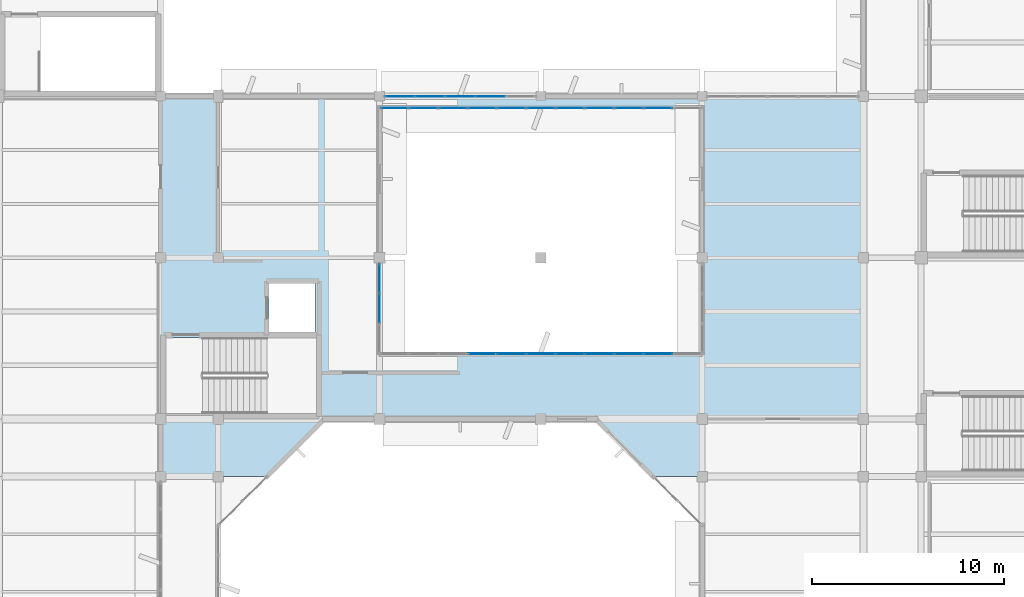
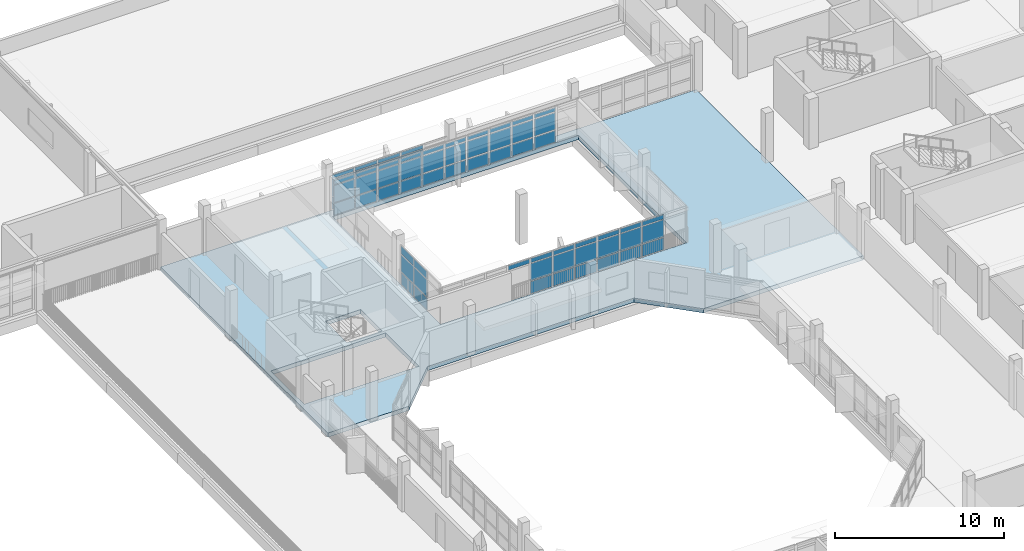
# One storey, part 53 of 92: 67 plates, 1 slab, 4 elements without a shape of their own.
"""IFC4 building model written with IfcOpenShell, lengths in metres."""

from ifc_helpers import new_model, si_unit, direction, frame, origin, origin_2d, place, context, subcontext, project, spatial, polyline, rectangle, outline, extrude, material, layer, layer_set, type_object, element, aggregate, save


model = new_model("IFC4")

# Units and contexts
model_context = context("Model", 3, precision=1e-05, world=origin(), true_north=direction((0.0, 1.0)))
body_context = subcontext(model_context, "Body", "Model", "MODEL_VIEW")
ifc_project = project(units=[si_unit("LENGTHUNIT", "METRE"), si_unit("AREAUNIT", "SQUARE_METRE"), si_unit("VOLUMEUNIT", "CUBIC_METRE"), si_unit("PLANEANGLEUNIT", "RADIAN"), si_unit("MASSUNIT", "GRAM", prefix="KILO")], contexts=[model_context])

# Site, building, storey
site_placement = place(None, origin())
site = spatial("IfcSite", under=ifc_project, at=site_placement, CompositionType="ELEMENT")
building_placement = place(site_placement, origin())
building = spatial("IfcBuilding", under=site, at=building_placement, Name="Vanh Quang Courtyard School", CompositionType="ELEMENT")
storey_placement = place(building_placement, frame((0.0, 0.0, 7.800048828125)))
storey = spatial("IfcBuildingStorey", under=building, at=storey_placement, Name="L02", CompositionType="ELEMENT", Elevation=7.800048828125)

# Curtain wall, plates
ifc_material_1 = material(Name="Thermally broken aluminium unitised curtain wall", Category="aluminium")
curtain_wall_type_1 = type_object("IfcCurtainWallType", Name="CW-SYS-19", PredefinedType="NOTDEFINED", material=ifc_material_1)
curtain_wall_1_placement = place(storey_placement, origin())
curtain_wall_1 = element("IfcCurtainWall", 1, at=curtain_wall_1_placement, inside=storey, type_object=curtain_wall_type_1, Name="Curtain Wall CW-19 (L02)", PredefinedType="NOTDEFINED")
ifc_material_2 = material(Name="Low-E laminated double glazing", Category="glass")
ifc_layer_1 = layer(ifc_material_2, 0.028076171875)
ifc_layer_set_1 = layer_set([ifc_layer_1], Name="Low-E laminated double glazing")
plate_type_1 = type_object("IfcPlateType", Name="CW-PNL-28", PredefinedType="CURTAIN_PANEL", material=ifc_layer_set_1)
plate_1_placement = place(storey_placement, frame((50.261474609375, 88.199951171875, 0.06005859375), z_axis=(0.0, 0.0, 1.0), x_axis=(1.0, 0.0, 0.0)))
plate_1 = element("IfcPlate", 2, at=plate_1_placement, type_object=plate_type_1, Name="CW-19 panel 1.1", PredefinedType="CURTAIN_PANEL", context=body_context, shape_type="SweptSolid", body=[
    extrude(rectangle(XDim=1.48681640625, YDim=0.028076171875, at=origin_2d()), origin(), (0.0, 0.0, 1.0), 0.860107421875),
])
plate_2_placement = place(storey_placement, frame((50.261474609375, 88.199951171875, 0.97998046875), z_axis=(0.0, 0.0, 1.0), x_axis=(1.0, 0.0, 0.0)))
plate_2 = element("IfcPlate", 3, at=plate_2_placement, type_object=plate_type_1, Name="CW-19 panel 1.2", PredefinedType="CURTAIN_PANEL", context=body_context, shape_type="SweptSolid", body=[
    extrude(rectangle(XDim=1.48681640625, YDim=0.028076171875, at=origin_2d()), origin(), (0.0, 0.0, 1.0), 1.239990234375),
])
plate_3_placement = place(storey_placement, frame((50.261474609375, 88.199951171875, 2.27978515625), z_axis=(0.0, 0.0, 1.0), x_axis=(1.0, 0.0, 0.0)))
plate_3 = element("IfcPlate", 4, at=plate_3_placement, type_object=plate_type_1, Name="CW-19 panel 1.3", PredefinedType="CURTAIN_PANEL", context=body_context, shape_type="SweptSolid", body=[
    extrude(rectangle(XDim=1.48681640625, YDim=0.028076171875, at=origin_2d()), origin(), (0.0, 0.0, 1.0), 0.260009765625),
])
plate_4_placement = place(storey_placement, frame((51.8232421875, 88.199951171875, 0.06005859375), z_axis=(0.0, 0.0, 1.0), x_axis=(1.0, 0.0, 0.0)))
plate_4 = element("IfcPlate", 5, at=plate_4_placement, type_object=plate_type_1, Name="CW-19 panel 2.1", PredefinedType="CURTAIN_PANEL", context=body_context, shape_type="SweptSolid", body=[
    extrude(rectangle(XDim=1.516845703125, YDim=0.028076171875, at=origin_2d()), origin(), (0.0, 0.0, 1.0), 0.860107421875),
])
plate_5_placement = place(storey_placement, frame((51.8232421875, 88.199951171875, 0.97998046875), z_axis=(0.0, 0.0, 1.0), x_axis=(1.0, 0.0, 0.0)))
plate_5 = element("IfcPlate", 6, at=plate_5_placement, type_object=plate_type_1, Name="CW-19 panel 2.2", PredefinedType="CURTAIN_PANEL", context=body_context, shape_type="SweptSolid", body=[
    extrude(rectangle(XDim=1.516845703125, YDim=0.028076171875, at=origin_2d()), origin(), (0.0, 0.0, 1.0), 1.239990234375),
])
plate_6_placement = place(storey_placement, frame((51.8232421875, 88.199951171875, 2.27978515625), z_axis=(0.0, 0.0, 1.0), x_axis=(1.0, 0.0, 0.0)))
plate_6 = element("IfcPlate", 7, at=plate_6_placement, type_object=plate_type_1, Name="CW-19 panel 2.3", PredefinedType="CURTAIN_PANEL", context=body_context, shape_type="SweptSolid", body=[
    extrude(rectangle(XDim=1.516845703125, YDim=0.028076171875, at=origin_2d()), origin(), (0.0, 0.0, 1.0), 0.260009765625),
])
plate_7_placement = place(storey_placement, frame((53.39990234375, 88.199951171875, 0.06005859375), z_axis=(0.0, 0.0, 1.0), x_axis=(1.0, 0.0, 0.0)))
plate_7 = element("IfcPlate", 8, at=plate_7_placement, type_object=plate_type_1, Name="CW-19 panel 3.1", PredefinedType="CURTAIN_PANEL", context=body_context, shape_type="SweptSolid", body=[
    extrude(rectangle(XDim=1.516845703125, YDim=0.028076171875, at=origin_2d()), origin(), (0.0, 0.0, 1.0), 0.860107421875),
])
plate_8_placement = place(storey_placement, frame((53.39990234375, 88.199951171875, 0.97998046875), z_axis=(0.0, 0.0, 1.0), x_axis=(1.0, 0.0, 0.0)))
plate_8 = element("IfcPlate", 9, at=plate_8_placement, type_object=plate_type_1, Name="CW-19 panel 3.2", PredefinedType="CURTAIN_PANEL", context=body_context, shape_type="SweptSolid", body=[
    extrude(rectangle(XDim=1.516845703125, YDim=0.028076171875, at=origin_2d()), origin(), (0.0, 0.0, 1.0), 1.239990234375),
])
plate_9_placement = place(storey_placement, frame((53.39990234375, 88.199951171875, 2.27978515625), z_axis=(0.0, 0.0, 1.0), x_axis=(1.0, 0.0, 0.0)))
plate_9 = element("IfcPlate", 10, at=plate_9_placement, type_object=plate_type_1, Name="CW-19 panel 3.3", PredefinedType="CURTAIN_PANEL", context=body_context, shape_type="SweptSolid", body=[
    extrude(rectangle(XDim=1.516845703125, YDim=0.028076171875, at=origin_2d()), origin(), (0.0, 0.0, 1.0), 0.260009765625),
])
plate_10_placement = place(storey_placement, frame((54.976806640625, 88.199951171875, 0.06005859375), z_axis=(0.0, 0.0, 1.0), x_axis=(1.0, 0.0, 0.0)))
plate_10 = element("IfcPlate", 11, at=plate_10_placement, type_object=plate_type_1, Name="CW-19 panel 4.1", PredefinedType="CURTAIN_PANEL", context=body_context, shape_type="SweptSolid", body=[
    extrude(rectangle(XDim=1.516845703125, YDim=0.028076171875, at=origin_2d()), origin(), (0.0, 0.0, 1.0), 0.860107421875),
])
plate_11_placement = place(storey_placement, frame((54.976806640625, 88.199951171875, 0.97998046875), z_axis=(0.0, 0.0, 1.0), x_axis=(1.0, 0.0, 0.0)))
plate_11 = element("IfcPlate", 12, at=plate_11_placement, type_object=plate_type_1, Name="CW-19 panel 4.2", PredefinedType="CURTAIN_PANEL", context=body_context, shape_type="SweptSolid", body=[
    extrude(rectangle(XDim=1.516845703125, YDim=0.028076171875, at=origin_2d()), origin(), (0.0, 0.0, 1.0), 1.239990234375),
])
plate_12_placement = place(storey_placement, frame((54.976806640625, 88.199951171875, 2.27978515625), z_axis=(0.0, 0.0, 1.0), x_axis=(1.0, 0.0, 0.0)))
plate_12 = element("IfcPlate", 13, at=plate_12_placement, type_object=plate_type_1, Name="CW-19 panel 4.3", PredefinedType="CURTAIN_PANEL", context=body_context, shape_type="SweptSolid", body=[
    extrude(rectangle(XDim=1.516845703125, YDim=0.028076171875, at=origin_2d()), origin(), (0.0, 0.0, 1.0), 0.260009765625),
])
aggregate(curtain_wall_1, [plate_1, plate_2, plate_3, plate_4, plate_5, plate_6, plate_7, plate_8, plate_9, plate_10, plate_11, plate_12])

curtain_wall_type_2 = type_object("IfcCurtainWallType", Name="CW-SYS-56", PredefinedType="NOTDEFINED", material=ifc_material_1)
curtain_wall_2_placement = place(storey_placement, origin())
curtain_wall_2 = element("IfcCurtainWall", 14, at=curtain_wall_2_placement, inside=storey, type_object=curtain_wall_type_2, Name="Curtain Wall CW-56 (L02)", PredefinedType="NOTDEFINED")
plate_13_placement = place(storey_placement, frame((49.199951171875, 78.7158203125, 0.06005859375), z_axis=(0.0, 0.0, 1.0), x_axis=(0.0, -1.0, 0.0)))
plate_13 = element("IfcPlate", 15, at=plate_13_placement, type_object=plate_type_1, Name="CW-56 panel 1.1", PredefinedType="CURTAIN_PANEL", context=body_context, shape_type="SweptSolid", body=[
    extrude(rectangle(XDim=1.482421875, YDim=0.028076171875, at=origin_2d()), origin(), (0.0, 0.0, 1.0), 0.860107421875),
])
plate_14_placement = place(storey_placement, frame((49.199951171875, 78.7158203125, 0.97998046875), z_axis=(0.0, 0.0, 1.0), x_axis=(0.0, -1.0, 0.0)))
plate_14 = element("IfcPlate", 16, at=plate_14_placement, type_object=plate_type_1, Name="CW-56 panel 1.2", PredefinedType="CURTAIN_PANEL", context=body_context, shape_type="SweptSolid", body=[
    extrude(rectangle(XDim=1.482421875, YDim=0.028076171875, at=origin_2d()), origin(), (0.0, 0.0, 1.0), 1.239990234375),
])
plate_15_placement = place(storey_placement, frame((49.199951171875, 78.7158203125, 2.280029296875), z_axis=(0.0, 0.0, 1.0), x_axis=(0.0, -1.0, 0.0)))
plate_15 = element("IfcPlate", 17, at=plate_15_placement, type_object=plate_type_1, Name="CW-56 panel 1.3", PredefinedType="CURTAIN_PANEL", context=body_context, shape_type="SweptSolid", body=[
    extrude(rectangle(XDim=1.482421875, YDim=0.028076171875, at=origin_2d()), origin(), (0.0, 0.0, 1.0), 0.56005859375),
])
plate_16_placement = place(storey_placement, frame((49.199951171875, 77.158447265625, 0.06005859375), z_axis=(0.0, 0.0, 1.0), x_axis=(0.0, -1.0, 0.0)))
plate_16 = element("IfcPlate", 18, at=plate_16_placement, type_object=plate_type_1, Name="CW-56 panel 2.1", PredefinedType="CURTAIN_PANEL", context=body_context, shape_type="SweptSolid", body=[
    extrude(rectangle(XDim=1.512451171875, YDim=0.028076171875, at=origin_2d()), origin(), (0.0, 0.0, 1.0), 0.860107421875),
])
plate_17_placement = place(storey_placement, frame((49.199951171875, 77.158447265625, 0.97998046875), z_axis=(0.0, 0.0, 1.0), x_axis=(0.0, -1.0, 0.0)))
plate_17 = element("IfcPlate", 19, at=plate_17_placement, type_object=plate_type_1, Name="CW-56 panel 2.2", PredefinedType="CURTAIN_PANEL", context=body_context, shape_type="SweptSolid", body=[
    extrude(rectangle(XDim=1.512451171875, YDim=0.028076171875, at=origin_2d()), origin(), (0.0, 0.0, 1.0), 1.239990234375),
])
plate_18_placement = place(storey_placement, frame((49.199951171875, 77.158447265625, 2.280029296875), z_axis=(0.0, 0.0, 1.0), x_axis=(0.0, -1.0, 0.0)))
plate_18 = element("IfcPlate", 20, at=plate_18_placement, type_object=plate_type_1, Name="CW-56 panel 2.3", PredefinedType="CURTAIN_PANEL", context=body_context, shape_type="SweptSolid", body=[
    extrude(rectangle(XDim=1.512451171875, YDim=0.028076171875, at=origin_2d()), origin(), (0.0, 0.0, 1.0), 0.56005859375),
])
aggregate(curtain_wall_2, [plate_13, plate_14, plate_15, plate_16, plate_17, plate_18])

curtain_wall_type_3 = type_object("IfcCurtainWallType", Name="CW-SYS-54", PredefinedType="NOTDEFINED", material=ifc_material_1)
curtain_wall_3_placement = place(storey_placement, origin())
curtain_wall_3 = element("IfcCurtainWall", 21, at=curtain_wall_3_placement, inside=storey, type_object=curtain_wall_type_3, Name="Curtain Wall CW-54 (L02)", PredefinedType="NOTDEFINED")
ifc_layer_2 = layer(ifc_material_2, 0.031982421875)
ifc_layer_set_2 = layer_set([ifc_layer_2], Name="Low-E laminated double glazing")
plate_type_2 = type_object("IfcPlateType", Name="CW-PNL-32", PredefinedType="CURTAIN_PANEL", material=ifc_layer_set_2)
plate_19_placement = place(storey_placement, frame((54.54541015625, 74.800048828125, 2.280029296875), z_axis=(0.0, 0.0, 1.0), x_axis=(1.0, 0.0, 0.0)))
plate_19 = element("IfcPlate", 22, at=plate_19_placement, type_object=plate_type_2, Name="CW-54 panel 4.3", PredefinedType="CURTAIN_PANEL", context=body_context, shape_type="SweptSolid", body=[
    extrude(rectangle(XDim=1.46728515625, YDim=0.031982421875, at=origin_2d()), origin(), (0.0, 0.0, 1.0), 0.31005859375),
])
plate_20_placement = place(storey_placement, frame((56.07275390625, 74.800048828125, 0.06005859375), z_axis=(0.0, 0.0, 1.0), x_axis=(1.0, 0.0, 0.0)))
plate_20 = element("IfcPlate", 23, at=plate_20_placement, type_object=plate_type_2, Name="CW-54 panel 5.1", PredefinedType="CURTAIN_PANEL", context=body_context, shape_type="SweptSolid", body=[
    extrude(rectangle(XDim=1.46728515625, YDim=0.031982421875, at=origin_2d()), origin(), (0.0, 0.0, 1.0), 0.860107421875),
])
plate_21_placement = place(storey_placement, frame((56.07275390625, 74.800048828125, 0.97998046875), z_axis=(0.0, 0.0, 1.0), x_axis=(1.0, 0.0, 0.0)))
plate_21 = element("IfcPlate", 24, at=plate_21_placement, type_object=plate_type_2, Name="CW-54 panel 5.2", PredefinedType="CURTAIN_PANEL", context=body_context, shape_type="SweptSolid", body=[
    extrude(rectangle(XDim=1.46728515625, YDim=0.031982421875, at=origin_2d()), origin(), (0.0, 0.0, 1.0), 1.239990234375),
])
plate_22_placement = place(storey_placement, frame((56.07275390625, 74.800048828125, 2.280029296875), z_axis=(0.0, 0.0, 1.0), x_axis=(1.0, 0.0, 0.0)))
plate_22 = element("IfcPlate", 25, at=plate_22_placement, type_object=plate_type_2, Name="CW-54 panel 5.3", PredefinedType="CURTAIN_PANEL", context=body_context, shape_type="SweptSolid", body=[
    extrude(rectangle(XDim=1.46728515625, YDim=0.031982421875, at=origin_2d()), origin(), (0.0, 0.0, 1.0), 0.31005859375),
])
plate_23_placement = place(storey_placement, frame((57.60009765625, 74.800048828125, 0.06005859375), z_axis=(0.0, 0.0, 1.0), x_axis=(1.0, 0.0, 0.0)))
plate_23 = element("IfcPlate", 26, at=plate_23_placement, type_object=plate_type_2, Name="CW-54 panel 6.1", PredefinedType="CURTAIN_PANEL", context=body_context, shape_type="SweptSolid", body=[
    extrude(rectangle(XDim=1.46728515625, YDim=0.031982421875, at=origin_2d()), origin(), (0.0, 0.0, 1.0), 0.860107421875),
])
plate_24_placement = place(storey_placement, frame((57.60009765625, 74.800048828125, 0.97998046875), z_axis=(0.0, 0.0, 1.0), x_axis=(1.0, 0.0, 0.0)))
plate_24 = element("IfcPlate", 27, at=plate_24_placement, type_object=plate_type_2, Name="CW-54 panel 6.2", PredefinedType="CURTAIN_PANEL", context=body_context, shape_type="SweptSolid", body=[
    extrude(rectangle(XDim=1.46728515625, YDim=0.031982421875, at=origin_2d()), origin(), (0.0, 0.0, 1.0), 1.239990234375),
])
plate_25_placement = place(storey_placement, frame((57.60009765625, 74.800048828125, 2.280029296875), z_axis=(0.0, 0.0, 1.0), x_axis=(1.0, 0.0, 0.0)))
plate_25 = element("IfcPlate", 28, at=plate_25_placement, type_object=plate_type_2, Name="CW-54 panel 6.3", PredefinedType="CURTAIN_PANEL", context=body_context, shape_type="SweptSolid", body=[
    extrude(rectangle(XDim=1.46728515625, YDim=0.031982421875, at=origin_2d()), origin(), (0.0, 0.0, 1.0), 0.31005859375),
])
plate_26_placement = place(storey_placement, frame((59.127197265625, 74.800048828125, 0.06005859375), z_axis=(0.0, 0.0, 1.0), x_axis=(1.0, 0.0, 0.0)))
plate_26 = element("IfcPlate", 29, at=plate_26_placement, type_object=plate_type_2, Name="CW-54 panel 7.1", PredefinedType="CURTAIN_PANEL", context=body_context, shape_type="SweptSolid", body=[
    extrude(rectangle(XDim=1.46728515625, YDim=0.031982421875, at=origin_2d()), origin(), (0.0, 0.0, 1.0), 0.860107421875),
])
plate_27_placement = place(storey_placement, frame((59.127197265625, 74.800048828125, 0.97998046875), z_axis=(0.0, 0.0, 1.0), x_axis=(1.0, 0.0, 0.0)))
plate_27 = element("IfcPlate", 30, at=plate_27_placement, type_object=plate_type_2, Name="CW-54 panel 7.2", PredefinedType="CURTAIN_PANEL", context=body_context, shape_type="SweptSolid", body=[
    extrude(rectangle(XDim=1.46728515625, YDim=0.031982421875, at=origin_2d()), origin(), (0.0, 0.0, 1.0), 1.239990234375),
])
plate_28_placement = place(storey_placement, frame((59.127197265625, 74.800048828125, 2.280029296875), z_axis=(0.0, 0.0, 1.0), x_axis=(1.0, 0.0, 0.0)))
plate_28 = element("IfcPlate", 31, at=plate_28_placement, type_object=plate_type_2, Name="CW-54 panel 7.3", PredefinedType="CURTAIN_PANEL", context=body_context, shape_type="SweptSolid", body=[
    extrude(rectangle(XDim=1.46728515625, YDim=0.031982421875, at=origin_2d()), origin(), (0.0, 0.0, 1.0), 0.31005859375),
])
plate_29_placement = place(storey_placement, frame((60.654541015625, 74.800048828125, 0.06005859375), z_axis=(0.0, 0.0, 1.0), x_axis=(1.0, 0.0, 0.0)))
plate_29 = element("IfcPlate", 32, at=plate_29_placement, type_object=plate_type_2, Name="CW-54 panel 8.1", PredefinedType="CURTAIN_PANEL", context=body_context, shape_type="SweptSolid", body=[
    extrude(rectangle(XDim=1.46728515625, YDim=0.031982421875, at=origin_2d()), origin(), (0.0, 0.0, 1.0), 0.860107421875),
])
plate_30_placement = place(storey_placement, frame((60.654541015625, 74.800048828125, 0.97998046875), z_axis=(0.0, 0.0, 1.0), x_axis=(1.0, 0.0, 0.0)))
plate_30 = element("IfcPlate", 33, at=plate_30_placement, type_object=plate_type_2, Name="CW-54 panel 8.2", PredefinedType="CURTAIN_PANEL", context=body_context, shape_type="SweptSolid", body=[
    extrude(rectangle(XDim=1.46728515625, YDim=0.031982421875, at=origin_2d()), origin(), (0.0, 0.0, 1.0), 1.239990234375),
])
plate_31_placement = place(storey_placement, frame((60.654541015625, 74.800048828125, 2.280029296875), z_axis=(0.0, 0.0, 1.0), x_axis=(1.0, 0.0, 0.0)))
plate_31 = element("IfcPlate", 34, at=plate_31_placement, type_object=plate_type_2, Name="CW-54 panel 8.3", PredefinedType="CURTAIN_PANEL", context=body_context, shape_type="SweptSolid", body=[
    extrude(rectangle(XDim=1.46728515625, YDim=0.031982421875, at=origin_2d()), origin(), (0.0, 0.0, 1.0), 0.31005859375),
])
plate_32_placement = place(storey_placement, frame((62.181884765625, 74.800048828125, 0.06005859375), z_axis=(0.0, 0.0, 1.0), x_axis=(1.0, 0.0, 0.0)))
plate_32 = element("IfcPlate", 35, at=plate_32_placement, type_object=plate_type_2, Name="CW-54 panel 9.1", PredefinedType="CURTAIN_PANEL", context=body_context, shape_type="SweptSolid", body=[
    extrude(rectangle(XDim=1.46728515625, YDim=0.031982421875, at=origin_2d()), origin(), (0.0, 0.0, 1.0), 0.860107421875),
])
plate_33_placement = place(storey_placement, frame((62.181884765625, 74.800048828125, 0.97998046875), z_axis=(0.0, 0.0, 1.0), x_axis=(1.0, 0.0, 0.0)))
plate_33 = element("IfcPlate", 36, at=plate_33_placement, type_object=plate_type_2, Name="CW-54 panel 9.2", PredefinedType="CURTAIN_PANEL", context=body_context, shape_type="SweptSolid", body=[
    extrude(rectangle(XDim=1.46728515625, YDim=0.031982421875, at=origin_2d()), origin(), (0.0, 0.0, 1.0), 1.239990234375),
])
plate_34_placement = place(storey_placement, frame((62.181884765625, 74.800048828125, 2.280029296875), z_axis=(0.0, 0.0, 1.0), x_axis=(1.0, 0.0, 0.0)))
plate_34 = element("IfcPlate", 37, at=plate_34_placement, type_object=plate_type_2, Name="CW-54 panel 9.3", PredefinedType="CURTAIN_PANEL", context=body_context, shape_type="SweptSolid", body=[
    extrude(rectangle(XDim=1.46728515625, YDim=0.031982421875, at=origin_2d()), origin(), (0.0, 0.0, 1.0), 0.31005859375),
])
plate_35_placement = place(storey_placement, frame((63.708984375, 74.800048828125, 0.06005859375), z_axis=(0.0, 0.0, 1.0), x_axis=(1.0, 0.0, 0.0)))
plate_35 = element("IfcPlate", 38, at=plate_35_placement, type_object=plate_type_2, Name="CW-54 panel 10.1", PredefinedType="CURTAIN_PANEL", context=body_context, shape_type="SweptSolid", body=[
    extrude(rectangle(XDim=1.46728515625, YDim=0.031982421875, at=origin_2d()), origin(), (0.0, 0.0, 1.0), 0.860107421875),
])
plate_36_placement = place(storey_placement, frame((63.708984375, 74.800048828125, 0.97998046875), z_axis=(0.0, 0.0, 1.0), x_axis=(1.0, 0.0, 0.0)))
plate_36 = element("IfcPlate", 39, at=plate_36_placement, type_object=plate_type_2, Name="CW-54 panel 10.2", PredefinedType="CURTAIN_PANEL", context=body_context, shape_type="SweptSolid", body=[
    extrude(rectangle(XDim=1.46728515625, YDim=0.031982421875, at=origin_2d()), origin(), (0.0, 0.0, 1.0), 1.239990234375),
])
plate_37_placement = place(storey_placement, frame((63.708984375, 74.800048828125, 2.280029296875), z_axis=(0.0, 0.0, 1.0), x_axis=(1.0, 0.0, 0.0)))
plate_37 = element("IfcPlate", 40, at=plate_37_placement, type_object=plate_type_2, Name="CW-54 panel 10.3", PredefinedType="CURTAIN_PANEL", context=body_context, shape_type="SweptSolid", body=[
    extrude(rectangle(XDim=1.46728515625, YDim=0.031982421875, at=origin_2d()), origin(), (0.0, 0.0, 1.0), 0.31005859375),
])
aggregate(curtain_wall_3, [plate_19, plate_20, plate_21, plate_22, plate_23, plate_24, plate_25, plate_26, plate_27, plate_28, plate_29, plate_30, plate_31, plate_32, plate_33, plate_34, plate_35, plate_36, plate_37])

curtain_wall_4_placement = place(storey_placement, origin())
curtain_wall_4 = element("IfcCurtainWall", 41, at=curtain_wall_4_placement, inside=storey, type_object=curtain_wall_type_3, Name="Curtain Wall CW-54 (L02)", PredefinedType="NOTDEFINED")
plate_38_placement = place(storey_placement, frame((63.708984375, 87.60009765625, 0.079833984375), z_axis=(0.0, 0.0, 1.0), x_axis=(-1.0, 0.0, 0.0)))
plate_38 = element("IfcPlate", 42, at=plate_38_placement, type_object=plate_type_2, Name="CW-54 panel 2.1", PredefinedType="CURTAIN_PANEL", context=body_context, shape_type="SweptSolid", body=[
    extrude(rectangle(XDim=1.447265625, YDim=0.031982421875, at=origin_2d()), origin(), (0.0, 0.0, 1.0), 0.830078125),
])
plate_39_placement = place(storey_placement, frame((63.708984375, 87.60009765625, 0.98974609375), z_axis=(0.0, 0.0, 1.0), x_axis=(-1.0, 0.0, 0.0)))
plate_39 = element("IfcPlate", 43, at=plate_39_placement, type_object=plate_type_2, Name="CW-54 panel 2.2", PredefinedType="CURTAIN_PANEL", context=body_context, shape_type="SweptSolid", body=[
    extrude(rectangle(XDim=1.447265625, YDim=0.031982421875, at=origin_2d()), origin(), (0.0, 0.0, 1.0), 1.219970703125),
])
plate_40_placement = place(storey_placement, frame((63.708984375, 87.60009765625, 2.2900390625), z_axis=(0.0, 0.0, 1.0), x_axis=(-1.0, 0.0, 0.0)))
plate_40 = element("IfcPlate", 44, at=plate_40_placement, type_object=plate_type_2, Name="CW-54 panel 2.3", PredefinedType="CURTAIN_PANEL", context=body_context, shape_type="SweptSolid", body=[
    extrude(rectangle(XDim=1.447265625, YDim=0.031982421875, at=origin_2d()), origin(), (0.0, 0.0, 1.0), 0.280029296875),
])
plate_41_placement = place(storey_placement, frame((62.181884765625, 87.60009765625, 0.079833984375), z_axis=(0.0, 0.0, 1.0), x_axis=(-1.0, 0.0, 0.0)))
plate_41 = element("IfcPlate", 45, at=plate_41_placement, type_object=plate_type_2, Name="CW-54 panel 3.1", PredefinedType="CURTAIN_PANEL", context=body_context, shape_type="SweptSolid", body=[
    extrude(rectangle(XDim=1.447265625, YDim=0.031982421875, at=origin_2d()), origin(), (0.0, 0.0, 1.0), 0.830078125),
])
plate_42_placement = place(storey_placement, frame((62.181884765625, 87.60009765625, 0.98974609375), z_axis=(0.0, 0.0, 1.0), x_axis=(-1.0, 0.0, 0.0)))
plate_42 = element("IfcPlate", 46, at=plate_42_placement, type_object=plate_type_2, Name="CW-54 panel 3.2", PredefinedType="CURTAIN_PANEL", context=body_context, shape_type="SweptSolid", body=[
    extrude(rectangle(XDim=1.447265625, YDim=0.031982421875, at=origin_2d()), origin(), (0.0, 0.0, 1.0), 1.219970703125),
])
plate_43_placement = place(storey_placement, frame((62.181884765625, 87.60009765625, 2.2900390625), z_axis=(0.0, 0.0, 1.0), x_axis=(-1.0, 0.0, 0.0)))
plate_43 = element("IfcPlate", 47, at=plate_43_placement, type_object=plate_type_2, Name="CW-54 panel 3.3", PredefinedType="CURTAIN_PANEL", context=body_context, shape_type="SweptSolid", body=[
    extrude(rectangle(XDim=1.447265625, YDim=0.031982421875, at=origin_2d()), origin(), (0.0, 0.0, 1.0), 0.280029296875),
])
plate_44_placement = place(storey_placement, frame((60.654541015625, 87.60009765625, 0.079833984375), z_axis=(0.0, 0.0, 1.0), x_axis=(-1.0, 0.0, 0.0)))
plate_44 = element("IfcPlate", 48, at=plate_44_placement, type_object=plate_type_2, Name="CW-54 panel 4.1", PredefinedType="CURTAIN_PANEL", context=body_context, shape_type="SweptSolid", body=[
    extrude(rectangle(XDim=1.447265625, YDim=0.031982421875, at=origin_2d()), origin(), (0.0, 0.0, 1.0), 0.830078125),
])
plate_45_placement = place(storey_placement, frame((60.654541015625, 87.60009765625, 0.98974609375), z_axis=(0.0, 0.0, 1.0), x_axis=(-1.0, 0.0, 0.0)))
plate_45 = element("IfcPlate", 49, at=plate_45_placement, type_object=plate_type_2, Name="CW-54 panel 4.2", PredefinedType="CURTAIN_PANEL", context=body_context, shape_type="SweptSolid", body=[
    extrude(rectangle(XDim=1.447265625, YDim=0.031982421875, at=origin_2d()), origin(), (0.0, 0.0, 1.0), 1.219970703125),
])
plate_46_placement = place(storey_placement, frame((60.654541015625, 87.60009765625, 2.2900390625), z_axis=(0.0, 0.0, 1.0), x_axis=(-1.0, 0.0, 0.0)))
plate_46 = element("IfcPlate", 50, at=plate_46_placement, type_object=plate_type_2, Name="CW-54 panel 4.3", PredefinedType="CURTAIN_PANEL", context=body_context, shape_type="SweptSolid", body=[
    extrude(rectangle(XDim=1.447265625, YDim=0.031982421875, at=origin_2d()), origin(), (0.0, 0.0, 1.0), 0.280029296875),
])
plate_47_placement = place(storey_placement, frame((59.127197265625, 87.60009765625, 0.079833984375), z_axis=(0.0, 0.0, 1.0), x_axis=(-1.0, 0.0, 0.0)))
plate_47 = element("IfcPlate", 51, at=plate_47_placement, type_object=plate_type_2, Name="CW-54 panel 5.1", PredefinedType="CURTAIN_PANEL", context=body_context, shape_type="SweptSolid", body=[
    extrude(rectangle(XDim=1.447265625, YDim=0.031982421875, at=origin_2d()), origin(), (0.0, 0.0, 1.0), 0.830078125),
])
plate_48_placement = place(storey_placement, frame((59.127197265625, 87.60009765625, 0.98974609375), z_axis=(0.0, 0.0, 1.0), x_axis=(-1.0, 0.0, 0.0)))
plate_48 = element("IfcPlate", 52, at=plate_48_placement, type_object=plate_type_2, Name="CW-54 panel 5.2", PredefinedType="CURTAIN_PANEL", context=body_context, shape_type="SweptSolid", body=[
    extrude(rectangle(XDim=1.447265625, YDim=0.031982421875, at=origin_2d()), origin(), (0.0, 0.0, 1.0), 1.219970703125),
])
plate_49_placement = place(storey_placement, frame((59.127197265625, 87.60009765625, 2.2900390625), z_axis=(0.0, 0.0, 1.0), x_axis=(-1.0, 0.0, 0.0)))
plate_49 = element("IfcPlate", 53, at=plate_49_placement, type_object=plate_type_2, Name="CW-54 panel 5.3", PredefinedType="CURTAIN_PANEL", context=body_context, shape_type="SweptSolid", body=[
    extrude(rectangle(XDim=1.447265625, YDim=0.031982421875, at=origin_2d()), origin(), (0.0, 0.0, 1.0), 0.280029296875),
])
plate_50_placement = place(storey_placement, frame((57.60009765625, 87.60009765625, 0.079833984375), z_axis=(0.0, 0.0, 1.0), x_axis=(-1.0, 0.0, 0.0)))
plate_50 = element("IfcPlate", 54, at=plate_50_placement, type_object=plate_type_2, Name="CW-54 panel 6.1", PredefinedType="CURTAIN_PANEL", context=body_context, shape_type="SweptSolid", body=[
    extrude(rectangle(XDim=1.447265625, YDim=0.031982421875, at=origin_2d()), origin(), (0.0, 0.0, 1.0), 0.830078125),
])
plate_51_placement = place(storey_placement, frame((57.60009765625, 87.60009765625, 0.98974609375), z_axis=(0.0, 0.0, 1.0), x_axis=(-1.0, 0.0, 0.0)))
plate_51 = element("IfcPlate", 55, at=plate_51_placement, type_object=plate_type_2, Name="CW-54 panel 6.2", PredefinedType="CURTAIN_PANEL", context=body_context, shape_type="SweptSolid", body=[
    extrude(rectangle(XDim=1.447265625, YDim=0.031982421875, at=origin_2d()), origin(), (0.0, 0.0, 1.0), 1.219970703125),
])
plate_52_placement = place(storey_placement, frame((57.60009765625, 87.60009765625, 2.2900390625), z_axis=(0.0, 0.0, 1.0), x_axis=(-1.0, 0.0, 0.0)))
plate_52 = element("IfcPlate", 56, at=plate_52_placement, type_object=plate_type_2, Name="CW-54 panel 6.3", PredefinedType="CURTAIN_PANEL", context=body_context, shape_type="SweptSolid", body=[
    extrude(rectangle(XDim=1.447265625, YDim=0.031982421875, at=origin_2d()), origin(), (0.0, 0.0, 1.0), 0.280029296875),
])
plate_53_placement = place(storey_placement, frame((56.07275390625, 87.60009765625, 0.079833984375), z_axis=(0.0, 0.0, 1.0), x_axis=(-1.0, 0.0, 0.0)))
plate_53 = element("IfcPlate", 57, at=plate_53_placement, type_object=plate_type_2, Name="CW-54 panel 7.1", PredefinedType="CURTAIN_PANEL", context=body_context, shape_type="SweptSolid", body=[
    extrude(rectangle(XDim=1.447265625, YDim=0.031982421875, at=origin_2d()), origin(), (0.0, 0.0, 1.0), 0.830078125),
])
plate_54_placement = place(storey_placement, frame((56.07275390625, 87.60009765625, 0.98974609375), z_axis=(0.0, 0.0, 1.0), x_axis=(-1.0, 0.0, 0.0)))
plate_54 = element("IfcPlate", 58, at=plate_54_placement, type_object=plate_type_2, Name="CW-54 panel 7.2", PredefinedType="CURTAIN_PANEL", context=body_context, shape_type="SweptSolid", body=[
    extrude(rectangle(XDim=1.447265625, YDim=0.031982421875, at=origin_2d()), origin(), (0.0, 0.0, 1.0), 1.219970703125),
])
plate_55_placement = place(storey_placement, frame((56.07275390625, 87.60009765625, 2.2900390625), z_axis=(0.0, 0.0, 1.0), x_axis=(-1.0, 0.0, 0.0)))
plate_55 = element("IfcPlate", 59, at=plate_55_placement, type_object=plate_type_2, Name="CW-54 panel 7.3", PredefinedType="CURTAIN_PANEL", context=body_context, shape_type="SweptSolid", body=[
    extrude(rectangle(XDim=1.447265625, YDim=0.031982421875, at=origin_2d()), origin(), (0.0, 0.0, 1.0), 0.280029296875),
])
plate_56_placement = place(storey_placement, frame((54.54541015625, 87.60009765625, 0.079833984375), z_axis=(0.0, 0.0, 1.0), x_axis=(-1.0, 0.0, 0.0)))
plate_56 = element("IfcPlate", 60, at=plate_56_placement, type_object=plate_type_2, Name="CW-54 panel 8.1", PredefinedType="CURTAIN_PANEL", context=body_context, shape_type="SweptSolid", body=[
    extrude(rectangle(XDim=1.447265625, YDim=0.031982421875, at=origin_2d()), origin(), (0.0, 0.0, 1.0), 0.830078125),
])
plate_57_placement = place(storey_placement, frame((54.54541015625, 87.60009765625, 0.98974609375), z_axis=(0.0, 0.0, 1.0), x_axis=(-1.0, 0.0, 0.0)))
plate_57 = element("IfcPlate", 61, at=plate_57_placement, type_object=plate_type_2, Name="CW-54 panel 8.2", PredefinedType="CURTAIN_PANEL", context=body_context, shape_type="SweptSolid", body=[
    extrude(rectangle(XDim=1.447265625, YDim=0.031982421875, at=origin_2d()), origin(), (0.0, 0.0, 1.0), 1.219970703125),
])
plate_58_placement = place(storey_placement, frame((54.54541015625, 87.60009765625, 2.2900390625), z_axis=(0.0, 0.0, 1.0), x_axis=(-1.0, 0.0, 0.0)))
plate_58 = element("IfcPlate", 62, at=plate_58_placement, type_object=plate_type_2, Name="CW-54 panel 8.3", PredefinedType="CURTAIN_PANEL", context=body_context, shape_type="SweptSolid", body=[
    extrude(rectangle(XDim=1.447265625, YDim=0.031982421875, at=origin_2d()), origin(), (0.0, 0.0, 1.0), 0.280029296875),
])
plate_59_placement = place(storey_placement, frame((53.01806640625, 87.60009765625, 0.079833984375), z_axis=(0.0, 0.0, 1.0), x_axis=(-1.0, 0.0, 0.0)))
plate_59 = element("IfcPlate", 63, at=plate_59_placement, type_object=plate_type_2, Name="CW-54 panel 9.1", PredefinedType="CURTAIN_PANEL", context=body_context, shape_type="SweptSolid", body=[
    extrude(rectangle(XDim=1.447265625, YDim=0.031982421875, at=origin_2d()), origin(), (0.0, 0.0, 1.0), 0.830078125),
])
plate_60_placement = place(storey_placement, frame((53.01806640625, 87.60009765625, 0.98974609375), z_axis=(0.0, 0.0, 1.0), x_axis=(-1.0, 0.0, 0.0)))
plate_60 = element("IfcPlate", 64, at=plate_60_placement, type_object=plate_type_2, Name="CW-54 panel 9.2", PredefinedType="CURTAIN_PANEL", context=body_context, shape_type="SweptSolid", body=[
    extrude(rectangle(XDim=1.447265625, YDim=0.031982421875, at=origin_2d()), origin(), (0.0, 0.0, 1.0), 1.219970703125),
])
plate_61_placement = place(storey_placement, frame((53.01806640625, 87.60009765625, 2.2900390625), z_axis=(0.0, 0.0, 1.0), x_axis=(-1.0, 0.0, 0.0)))
plate_61 = element("IfcPlate", 65, at=plate_61_placement, type_object=plate_type_2, Name="CW-54 panel 9.3", PredefinedType="CURTAIN_PANEL", context=body_context, shape_type="SweptSolid", body=[
    extrude(rectangle(XDim=1.447265625, YDim=0.031982421875, at=origin_2d()), origin(), (0.0, 0.0, 1.0), 0.280029296875),
])
plate_62_placement = place(storey_placement, frame((51.490966796875, 87.60009765625, 0.079833984375), z_axis=(0.0, 0.0, 1.0), x_axis=(-1.0, 0.0, 0.0)))
plate_62 = element("IfcPlate", 66, at=plate_62_placement, type_object=plate_type_2, Name="CW-54 panel 10.1", PredefinedType="CURTAIN_PANEL", context=body_context, shape_type="SweptSolid", body=[
    extrude(rectangle(XDim=1.447265625, YDim=0.031982421875, at=origin_2d()), origin(), (0.0, 0.0, 1.0), 0.830078125),
])
plate_63_placement = place(storey_placement, frame((51.490966796875, 87.60009765625, 0.98974609375), z_axis=(0.0, 0.0, 1.0), x_axis=(-1.0, 0.0, 0.0)))
plate_63 = element("IfcPlate", 67, at=plate_63_placement, type_object=plate_type_2, Name="CW-54 panel 10.2", PredefinedType="CURTAIN_PANEL", context=body_context, shape_type="SweptSolid", body=[
    extrude(rectangle(XDim=1.447265625, YDim=0.031982421875, at=origin_2d()), origin(), (0.0, 0.0, 1.0), 1.219970703125),
])
plate_64_placement = place(storey_placement, frame((51.490966796875, 87.60009765625, 2.2900390625), z_axis=(0.0, 0.0, 1.0), x_axis=(-1.0, 0.0, 0.0)))
plate_64 = element("IfcPlate", 68, at=plate_64_placement, type_object=plate_type_2, Name="CW-54 panel 10.3", PredefinedType="CURTAIN_PANEL", context=body_context, shape_type="SweptSolid", body=[
    extrude(rectangle(XDim=1.447265625, YDim=0.031982421875, at=origin_2d()), origin(), (0.0, 0.0, 1.0), 0.280029296875),
])
plate_65_placement = place(storey_placement, frame((49.983642578125, 87.60009765625, 0.079833984375), z_axis=(0.0, 0.0, 1.0), x_axis=(-1.0, 0.0, 0.0)))
plate_65 = element("IfcPlate", 69, at=plate_65_placement, type_object=plate_type_2, Name="CW-54 panel 11.1", PredefinedType="CURTAIN_PANEL", context=body_context, shape_type="SweptSolid", body=[
    extrude(rectangle(XDim=1.4072265625, YDim=0.031982421875, at=origin_2d()), origin(), (0.0, 0.0, 1.0), 0.830078125),
])
plate_66_placement = place(storey_placement, frame((49.983642578125, 87.60009765625, 0.98974609375), z_axis=(0.0, 0.0, 1.0), x_axis=(-1.0, 0.0, 0.0)))
plate_66 = element("IfcPlate", 70, at=plate_66_placement, type_object=plate_type_2, Name="CW-54 panel 11.2", PredefinedType="CURTAIN_PANEL", context=body_context, shape_type="SweptSolid", body=[
    extrude(rectangle(XDim=1.4072265625, YDim=0.031982421875, at=origin_2d()), origin(), (0.0, 0.0, 1.0), 1.219970703125),
])
plate_67_placement = place(storey_placement, frame((49.983642578125, 87.60009765625, 2.2900390625), z_axis=(0.0, 0.0, 1.0), x_axis=(-1.0, 0.0, 0.0)))
plate_67 = element("IfcPlate", 71, at=plate_67_placement, type_object=plate_type_2, Name="CW-54 panel 11.3", PredefinedType="CURTAIN_PANEL", context=body_context, shape_type="SweptSolid", body=[
    extrude(rectangle(XDim=1.4072265625, YDim=0.031982421875, at=origin_2d()), origin(), (0.0, 0.0, 1.0), 0.280029296875),
])
aggregate(curtain_wall_4, [plate_38, plate_39, plate_40, plate_41, plate_42, plate_43, plate_44, plate_45, plate_46, plate_47, plate_48, plate_49, plate_50, plate_51, plate_52, plate_53, plate_54, plate_55, plate_56, plate_57, plate_58, plate_59, plate_60, plate_61, plate_62, plate_63, plate_64, plate_65, plate_66, plate_67])

# Slab
ifc_material_3 = material(Name="Concrete C30/37", Category="concrete")
ifc_layer_3 = layer(ifc_material_3, 0.300048828125)
ifc_layer_set_3 = layer_set([ifc_layer_3], Name="Concrete C30/37")
slab_type = type_object("IfcSlabType", Name="SLB-FLR-300", PredefinedType="FLOOR", material=ifc_layer_set_3)
slab_placement = place(storey_placement, frame((0.0, 0.0, -0.300048828125)))
element("IfcSlab", 72, at=slab_placement, inside=storey, type_object=slab_type, Name="Slab SF-01 (L02)", PredefinedType="FLOOR", context=body_context, shape_type="SweptSolid", body=[
    extrude(outline(polyline([(43.343994140625, 68.39990234375), (46.343994140625, 71.39990234375), (60.4560546875, 71.39990234375), (63.4560546875, 68.39990234375), (74.39990234375, 68.39990234375), (74.39990234375, 88.199951171875), (37.800048828125, 88.199951171875), (37.800048828125, 68.39990234375), (43.343994140625, 68.39990234375)]), holes=[polyline([(45.919921875, 71.679931640625), (38.080078125, 71.679931640625), (38.080078125, 75.639892578125), (45.919921875, 75.639892578125), (45.919921875, 71.679931640625)]), polyline([(43.449951171875, 75.919921875), (43.449951171875, 78.469970703125), (45.85009765625, 78.469970703125), (45.85009765625, 75.919921875), (43.449951171875, 75.919921875)]), polyline([(49.199951171875, 74.800048828125), (49.199951171875, 87.60009765625), (66.0, 87.60009765625), (66.0, 74.800048828125), (49.199951171875, 74.800048828125)])]), origin(), (0.0, 0.0, 1.0), 0.300048828125),
])

save(model, "model.ifc")
